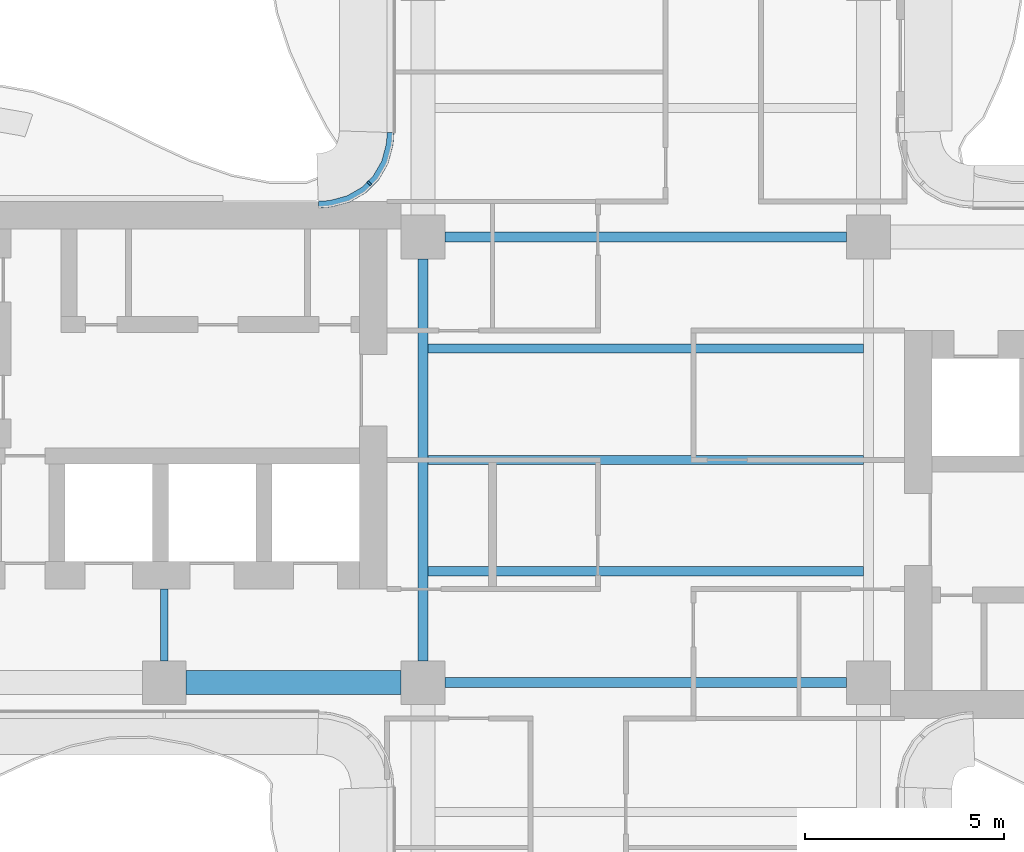
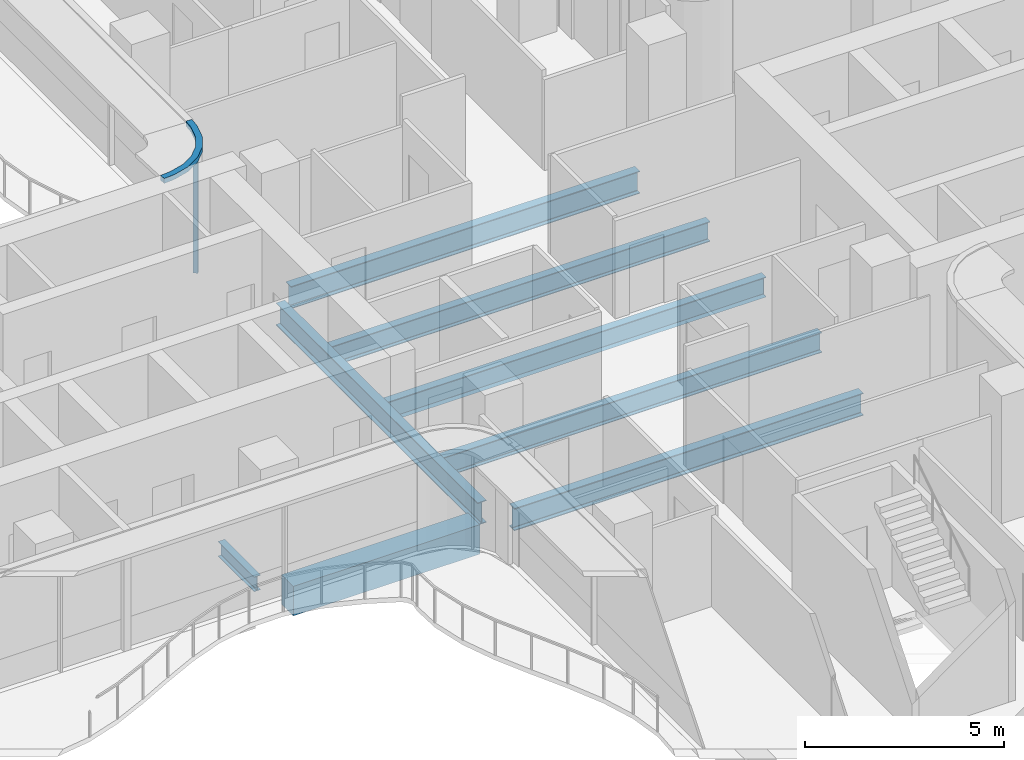
# One storey, part 4 of 16: 8 beams, 2 members, 1 element without a shape of its own.
"""IFC4 building model written with IfcOpenShell, lengths in metres."""

from ifc_helpers import new_model, si_unit, direction, frame, origin, origin_2d, place, context, subcontext, project, spatial, polyline, rectangle, i_section, outline, extrude, source, transform, mapped, material, layer, layer_set, material_profile, profile_set, type_object, element, aggregate, save


model = new_model("IFC4")

# Units and contexts
model_context = context("Model", 3, precision=1e-05, world=origin(), true_north=direction((0.0, 1.0)))
body_context = subcontext(model_context, "Body", "Model", "MODEL_VIEW")
ifc_project = project(units=[si_unit("LENGTHUNIT", "METRE"), si_unit("AREAUNIT", "SQUARE_METRE"), si_unit("VOLUMEUNIT", "CUBIC_METRE"), si_unit("PLANEANGLEUNIT", "RADIAN"), si_unit("MASSUNIT", "GRAM", prefix="KILO")], contexts=[model_context])

# Site, building, storey
site_placement = place(None, origin())
site = spatial("IfcSite", under=ifc_project, at=site_placement, CompositionType="ELEMENT")
building_placement = place(site_placement, origin())
building = spatial("IfcBuilding", under=site, at=building_placement, Name="Trellis Farm Tower", CompositionType="ELEMENT")
storey_placement = place(building_placement, frame((0.0, 0.0, 255.800048828125)))
storey = spatial("IfcBuildingStorey", under=building, at=storey_placement, Name="L57", CompositionType="ELEMENT", Elevation=255.800048828125)

# Beams
ifc_material_1 = material(Name="Steel S355", Category="steel")
ifc_material_profile_1 = material_profile(ifc_material_1, i_section(OverallWidth=0.22900390625, OverallDepth=0.6123046875, WebThickness=0.011962890625, FlangeThickness=0.01953125, FilletRadius=0.0126953125, at=origin_2d()), Name="UB 610x229x125")
ifc_profile_set_1 = profile_set([ifc_material_profile_1], Name="Steel S355")
beam_type_1 = type_object("IfcBeamType", Name="UB 610x229x125 joist", PredefinedType="JOIST", material=ifc_profile_set_1)
shared_shape_1 = source(origin(), body_context, "Body", "SweptSolid", [
    extrude(i_section(OverallWidth=0.22900390625, OverallDepth=0.6123046875, WebThickness=0.011962890625, FlangeThickness=0.01953125, FilletRadius=0.0126953125, at=origin_2d()), origin(), (0.0, 0.0, 1.0), 10.9462890625),
])
for number, where, z_axis, x_axis, name in (
    (1, (-5.47314453125, -2.800048828125, -0.506103515625), (1.0, 0.0, 0.0), (0.0, 1.0, 0.0), "Floor beam"),
    (2, (-5.47314453125, 0.0, -0.506103515625), (1.0, 0.0, 0.0), (0.0, 1.0, 0.0), "Floor beam"),
    (3, (-5.47314453125, 2.800048828125, -0.506103515625), (1.0, 0.0, 0.0), (0.0, 1.0, 0.0), "Floor beam"),
):
    element("IfcBeam", number, at=place(storey_placement, frame(where, z_axis=z_axis, x_axis=x_axis)), inside=storey, type_object=beam_type_1, Name=name, PredefinedType="JOIST", context=body_context, shape_type="MappedRepresentation", body=[
        mapped(shared_shape_1, transform((0.0, 0.0, 0.0))),
    ])
ifc_material_profile_2 = material_profile(ifc_material_1, i_section(OverallWidth=0.253662109375, OverallDepth=0.68359375, WebThickness=0.012451171875, FlangeThickness=0.021728515625, FilletRadius=0.01513671875, at=origin_2d()), Name="UB 686x254x140")
ifc_profile_set_2 = profile_set([ifc_material_profile_2], Name="Steel S355")
beam_type_2 = type_object("IfcBeamType", Name="UB 686x254x140", PredefinedType="BEAM", material=ifc_profile_set_2)
shared_shape_2 = source(origin(), body_context, "Body", "SweptSolid", [
    extrude(i_section(OverallWidth=0.253662109375, OverallDepth=0.68359375, WebThickness=0.012451171875, FlangeThickness=0.021728515625, FilletRadius=0.01513671875, at=origin_2d()), origin(), (0.0, 0.0, 1.0), 10.10009765625),
])
for number, where, z_axis, x_axis, name in (
    (4, (-5.050048828125, -5.60009765625, -0.541748046875), (1.0, 0.0, 0.0), (0.0, 1.0, 0.0), "Girder"),
    (5, (-5.050048828125, 5.60009765625, -0.541748046875), (1.0, 0.0, 0.0), (0.0, 1.0, 0.0), "Girder"),
    (6, (-5.60009765625, -5.050048828125, -0.541748046875), (0.0, 1.0, 0.0), (-1.0, 0.0, 0.0), "Girder"),
):
    element("IfcBeam", number, at=place(storey_placement, frame(where, z_axis=z_axis, x_axis=x_axis)), inside=storey, type_object=beam_type_2, Name=name, PredefinedType="BEAM", context=body_context, shape_type="MappedRepresentation", body=[
        mapped(shared_shape_2, transform((0.0, 0.0, 0.0))),
    ])
ifc_material_profile_3 = material_profile(ifc_material_1, i_section(OverallWidth=0.1904296875, OverallDepth=0.45703125, WebThickness=0.009033203125, FlangeThickness=0.014404296875, FilletRadius=0.01025390625, at=origin_2d()), Name="UB 457x191x74")
ifc_profile_set_3 = profile_set([ifc_material_profile_3], Name="Steel S355")
beam_type_3 = type_object("IfcBeamType", Name="UB 457x191x74", PredefinedType="BEAM", material=ifc_profile_set_3)
shared_shape_3 = source(origin(), body_context, "Body", "SweptSolid", [
    extrude(i_section(OverallWidth=0.1904296875, OverallDepth=0.45703125, WebThickness=0.009033203125, FlangeThickness=0.014404296875, FilletRadius=0.01025390625, at=origin_2d()), origin(), (0.0, 0.0, 1.0), 1.800048828125),
])
beam_1_placement = place(storey_placement, frame((-12.10009765625, -5.050048828125, -0.428466796875), z_axis=(0.0, 1.0, 0.0), x_axis=(-1.0, 0.0, 0.0)))
element("IfcBeam", 7, at=beam_1_placement, inside=storey, type_object=beam_type_3, Name="Girder", PredefinedType="BEAM", context=body_context, shape_type="MappedRepresentation", body=[
    mapped(shared_shape_3, transform((0.0, 0.0, 0.0))),
])
ifc_material_2 = material(Name="Concrete C60/75", Category="concrete")
ifc_material_profile_4 = material_profile(ifc_material_2, rectangle(XDim=0.60009765625, YDim=0.89990234375, at=origin_2d()), Name="RC spandrel beam 600x900 C60/75")
ifc_profile_set_4 = profile_set([ifc_material_profile_4], Name="Concrete C60/75")
beam_type_4 = type_object("IfcBeamType", Name="RC spandrel beam 600x900 C60/75", PredefinedType="SPANDREL", material=ifc_profile_set_4)
shared_shape_4 = source(origin(), body_context, "Body", "SweptSolid", [
    extrude(rectangle(XDim=0.60009765625, YDim=0.89990234375, at=origin_2d()), origin(), (0.0, 0.0, 1.0), 5.400146484375),
])
beam_2_placement = place(storey_placement, frame((-11.550048828125, -5.60009765625, -0.650146484375), z_axis=(1.0, 0.0, 0.0), x_axis=(0.0, 1.0, 0.0)))
element("IfcBeam", 8, at=beam_2_placement, inside=storey, type_object=beam_type_4, Name="Girder", PredefinedType="SPANDREL", context=body_context, shape_type="MappedRepresentation", body=[
    mapped(shared_shape_4, transform((0.0, 0.0, 0.0))),
])

# Curtain wall, members
ifc_material_3 = material(Name="Aluminium and glass curtain wall", Category="aluminium")
ifc_layer_1 = layer(ifc_material_3, 0.166015625)
ifc_layer_set_1 = layer_set([ifc_layer_1], Name="WINTER GARDEN CURTAIN WALL CW3")
curtain_wall_type = type_object("IfcCurtainWallType", Name="WINTER GARDEN CURTAIN WALL CW3", PredefinedType="NOTDEFINED", material=ifc_layer_set_1)
curtain_wall_placement = place(storey_placement, origin())
curtain_wall = element("IfcCurtainWall", 9, at=curtain_wall_placement, inside=storey, type_object=curtain_wall_type, Name="CW3 004", PredefinedType="NOTDEFINED")
ifc_material_4 = material(Name="Aluminium extrusion 6063-T6", Category="aluminium")
ifc_layer_2 = layer(ifc_material_4, 0.169921875)
ifc_layer_set_2 = layer_set([ifc_layer_2], Name="Aluminium extrusion 6063-T6")
member_type_1 = type_object("IfcMemberType", Name="CW3 TRANSOM 170x150", PredefinedType="USERDEFINED", material=ifc_layer_set_2)
shared_shape_5 = source(origin(), body_context, "Body", "SweptSolid", [
    extrude(outline(polyline([(-6.5, 8.2314453125), (-6.513916015625, 8.01953125), (-6.527587890625, 7.91552734375), (-6.63671875, 7.508544921875), (-6.846923828125, 7.144287109375), (-7.144287109375, 6.846923828125), (-7.508544921875, 6.63671875), (-7.91552734375, 6.527587890625), (-8.01953125, 6.513916015625), (-8.2314453125, 6.5), (-8.225830078125, 6.330078125), (-8.0029296875, 6.3447265625), (-7.88232421875, 6.360595703125), (-7.44287109375, 6.478271484375), (-7.0400390625, 6.7109375), (-6.7109375, 7.0400390625), (-6.478271484375, 7.44287109375), (-6.360595703125, 7.88232421875), (-6.3447265625, 8.0029296875), (-6.330078125, 8.225830078125), (-6.5, 8.2314453125)])), origin(), (0.0, 0.0, 1.0), 0.14990234375),
])
member_1_placement = place(storey_placement, frame((0.0, 0.0, 3.550048828125)))
member_1 = element("IfcMember", 10, at=member_1_placement, type_object=member_type_1, Name="TR3 004", ObjectType="TRANSOM", PredefinedType="USERDEFINED", context=body_context, shape_type="MappedRepresentation", body=[
    mapped(shared_shape_5, transform((0.0, 0.0, 0.0))),
])
ifc_material_profile_5 = material_profile(ifc_material_4, rectangle(XDim=0.050048828125, YDim=0.1201171875, at=origin_2d()), Name="MULLION 50x120")
ifc_profile_set_5 = profile_set([ifc_material_profile_5], Name="Aluminium extrusion 6063-T6")
member_type_2 = type_object("IfcMemberType", Name="CW3 MULLION 50x120", PredefinedType="MULLION", material=ifc_profile_set_5)
shared_shape_6 = source(origin(), body_context, "Body", "SweptSolid", [
    extrude(rectangle(XDim=0.050048828125, YDim=0.1201171875, at=origin_2d()), origin(), (0.0, 0.0, 1.0), 3.550048828125),
])
member_2_placement = place(storey_placement, frame((-6.953125, 6.953125, 0.0), z_axis=(0.0, 0.0, 1.0), x_axis=(-0.707106781187, -0.707106781187, 0.0)))
member_2 = element("IfcMember", 11, at=member_2_placement, type_object=member_type_2, Name="MU3 004-01", PredefinedType="MULLION", context=body_context, shape_type="MappedRepresentation", body=[
    mapped(shared_shape_6, transform((0.0, 0.0, 0.0))),
])
aggregate(curtain_wall, [member_2, member_1])

save(model, "model.ifc")
